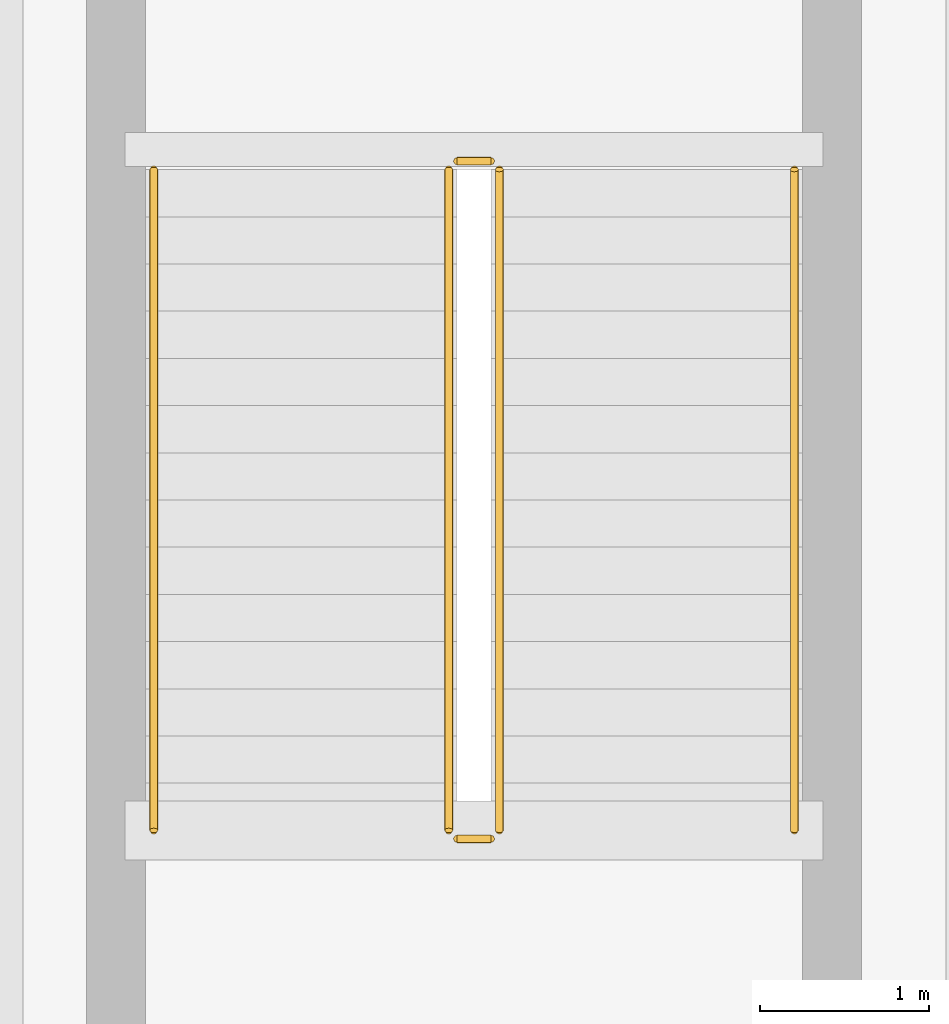
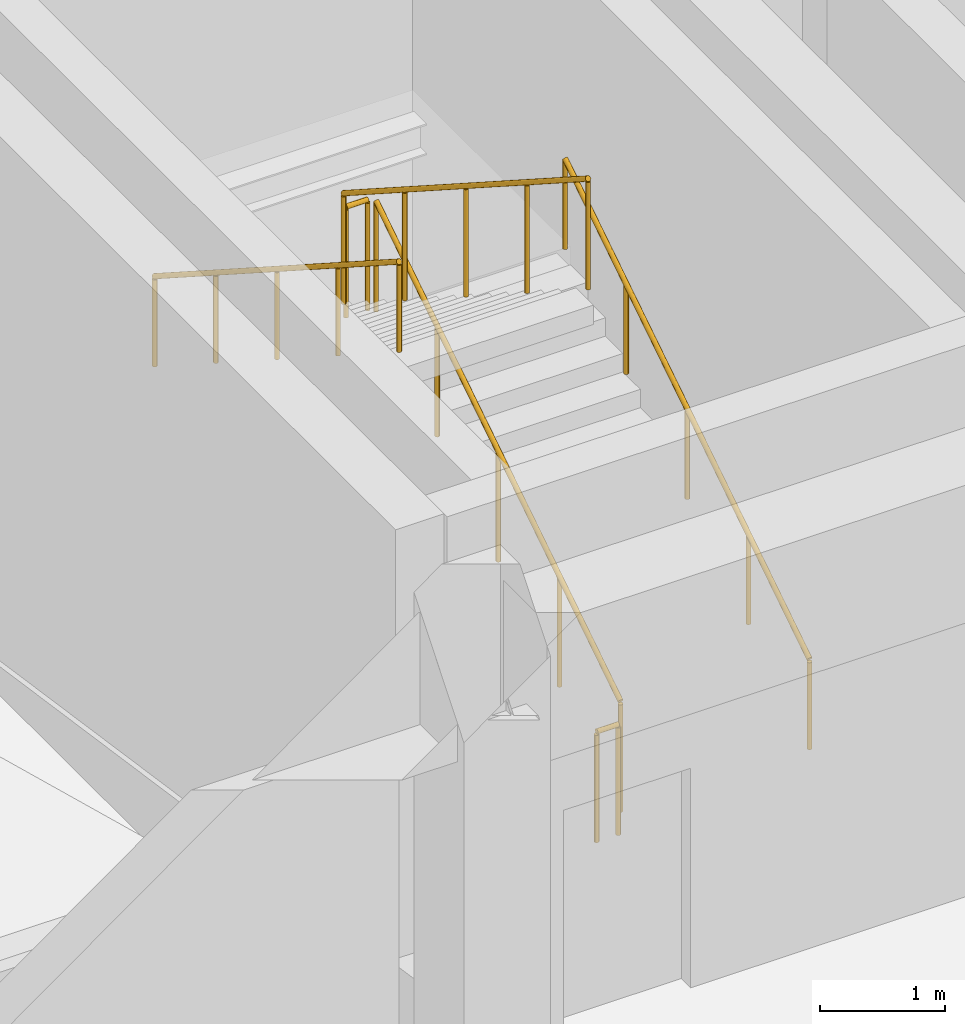
# One storey, part 86 of 91: 6 railings.
"""IFC4 building model written with IfcOpenShell, lengths in metres."""

import ifcopenshell
import ifcopenshell.guid

model = None  # the IFC model being written
_history = None  # IfcOwnerHistory: only IFC2X3 demands one
_inside = {}  # id of a spatial element -> (the spatial element, [elements in it])
_under = {}  # id of a project, library or spatial element -> (it, [spatial elements below it])
_declared = {}  # id of a project -> (the project, [libraries it declares])
_typed = {}  # id of a type object -> (the type object, [elements of that type])
_made_of = {}  # id of a material, layer set ... -> (it, [elements and type objects made of it])


def new_model(schema):
    """Start an empty IFC model of exactly this schema.

    Asked for "IFC4X3", IfcOpenShell would pick the latest addendum, in which some entities
    have other attributes; the version numbers below select the first issue.
    IFC2X3 requires an IfcOwnerHistory on every rooted entity: one is made here for all.
    """
    global model, _history
    if schema == "IFC4X3":
        model = ifcopenshell.file(schema_version=(4, 3, 0, 0))
    else:
        model = ifcopenshell.file(schema=schema)
    _inside.clear()
    _under.clear()
    _declared.clear()
    _typed.clear()
    _made_of.clear()
    _history = None
    if model.schema == "IFC2X3":
        org = make("IfcOrganization", Name="unknown")
        user = make(
            "IfcPersonAndOrganization",
            ThePerson=make("IfcPerson", FamilyName="unknown"),
            TheOrganization=org,
        )
        app = make(
            "IfcApplication",
            ApplicationDeveloper=org,
            Version="unknown",
            ApplicationFullName="unknown",
            ApplicationIdentifier="unknown",
        )
        _history = make(
            "IfcOwnerHistory",
            OwningUser=user,
            OwningApplication=app,
            ChangeAction="ADDED",
            CreationDate=0,
        )
    return model


def make(cls, **values):
    """One entity of the class cls with the attributes given. An attribute that is None is left unset."""
    return model.create_entity(
        cls, **{name: value for name, value in values.items() if value is not None}
    )


def rooted(cls, **values):
    """An entity with a GlobalId (a new one), such as an element, a storey or a relation."""
    return make(cls, GlobalId=ifcopenshell.guid.new(), OwnerHistory=_history, **values)


def si_unit(unit_type, name, prefix=None):
    """IfcSIUnit, for example si_unit("LENGTHUNIT", "METRE", prefix="MILLI")."""
    return make("IfcSIUnit", UnitType=unit_type, Prefix=prefix, Name=name)


def assignment(units):
    """IfcUnitAssignment: the units of a project."""
    return None if units is None else make("IfcUnitAssignment", Units=units)


def point(xyz):
    """IfcCartesianPoint."""
    return None if xyz is None else make("IfcCartesianPoint", Coordinates=xyz)


def direction(xyz):
    """IfcDirection."""
    return None if xyz is None else make("IfcDirection", DirectionRatios=xyz)


def frame(location, z_axis=None, x_axis=None):
    """IfcAxis2Placement3D, a coordinate frame: its origin and axes. An axis left out is left unset."""
    return make(
        "IfcAxis2Placement3D",
        Location=point(location),
        Axis=direction(z_axis),
        RefDirection=direction(x_axis),
    )


def frame_2d(location, x_axis=None):
    """IfcAxis2Placement2D, a coordinate frame in the plane: its origin and x axis."""
    return make(
        "IfcAxis2Placement2D", Location=point(location), RefDirection=direction(x_axis)
    )


def origin():
    """The frame at (0, 0, 0) with its axes left unset."""
    return frame((0.0, 0.0, 0.0))


def origin_2d():
    """The frame at (0, 0) in the plane with its x axis left unset."""
    return frame_2d((0.0, 0.0))


def place(relative_to, where):
    """IfcLocalPlacement: puts the frame where relative to a parent placement (None: the world)."""
    return make(
        "IfcLocalPlacement", PlacementRelTo=relative_to, RelativePlacement=where
    )


def context(
    kind, dimensions, precision=None, world=None, true_north=None, identifier=None
):
    """IfcGeometricRepresentationContext, for example the 3D "Model" context."""
    return make(
        "IfcGeometricRepresentationContext",
        ContextIdentifier=identifier,
        ContextType=kind,
        CoordinateSpaceDimension=dimensions,
        Precision=precision,
        WorldCoordinateSystem=world,
        TrueNorth=true_north,
    )


def subcontext(parent, identifier, kind, view, scale=None):
    """IfcGeometricRepresentationSubContext, for example "Body" below "Model"."""
    return make(
        "IfcGeometricRepresentationSubContext",
        ContextIdentifier=identifier,
        ContextType=kind,
        ParentContext=parent,
        TargetScale=scale,
        TargetView=view,
    )


def project(units=None, contexts=None):
    """IfcProject with its units and contexts."""
    return rooted(
        "IfcProject",
        Name="project",
        RepresentationContexts=contexts,
        UnitsInContext=assignment(units),
    )


def spatial(cls, under=None, at=None, **own):
    """A site, building, storey or space (cls), placed at a placement, below another one or the project."""
    s = rooted(cls, ObjectPlacement=at, **own)
    if under is not None:
        _under.setdefault(under.id(), (under, []))[1].append(s)
    return s


def profile(cls, at=None, kind="AREA", **sizes):
    """A parametric profile (cls). Its sizes go by their IFC names, for example OverallWidth=200.0."""
    return make(cls, ProfileType=kind, Position=at, **sizes)


def circle(**sizes):
    """IfcCircleProfileDef."""
    return profile("IfcCircleProfileDef", **sizes)


def extrude(swept, where, along, depth):
    """IfcExtrudedAreaSolid: the profile swept, set in the frame where, extruded along a direction by depth."""
    return make(
        "IfcExtrudedAreaSolid",
        SweptArea=swept,
        Position=where,
        ExtrudedDirection=direction(along),
        Depth=depth,
    )


def shape(context_of_items, identifier, shape_type, items):
    """IfcShapeRepresentation: the items that make up one representation, for example the "Body"."""
    return make(
        "IfcShapeRepresentation",
        ContextOfItems=context_of_items,
        RepresentationIdentifier=identifier,
        RepresentationType=shape_type,
        Items=items,
    )


def material(Name=None, Category=None):
    """IfcMaterial."""
    return make("IfcMaterial", Name=Name, Category=Category)


def made_of(thing, what):
    """Note that an element or type object is made of a material, layer set ...; save() writes the relation."""
    if what is not None:
        _made_of.setdefault(what.id(), (what, []))[1].append(thing)
    return thing


def type_object(cls, material=None, **own):
    """A type object (cls), such as IfcWallType, which elements share."""
    return made_of(rooted(cls, **own), material)


def element(
    cls,
    number,
    at=None,
    inside=None,
    cuts=None,
    type_object=None,
    material=None,
    context=None,
    identifier="Body",
    shape_type=None,
    held_by="IfcProductDefinitionShape",
    body=None,
    shapes=None,
    **own,
):
    """One element of the class cls, such as IfcWall. Its Tag is "e" and its number.

    at: its placement. inside: the storey or other place that contains it. cuts: it is an
    opening in that element (IfcRelVoidsElement). A single representation is given by context,
    identifier, shape_type and body (its items); several are given by shapes. held_by: the class
    of the entity that holds the representations. save() writes the other relations.
    """
    e = rooted(cls, Tag="e%d" % number, ObjectPlacement=at, **own)
    if body is not None:
        shapes = [shape(context, identifier, shape_type, body)]
    if shapes is not None:
        e.Representation = make(held_by, Representations=shapes)
    if inside is not None:
        _inside.setdefault(inside.id(), (inside, []))[1].append(e)
    if cuts is not None:
        rooted(
            "IfcRelVoidsElement", RelatingBuildingElement=cuts, RelatedOpeningElement=e
        )
    if type_object is not None:
        _typed.setdefault(type_object.id(), (type_object, []))[1].append(e)
    return made_of(e, material)


def aggregate(whole, parts):
    """IfcRelAggregates: a whole, such as a stair, and the parts it consists of."""
    return rooted("IfcRelAggregates", RelatingObject=whole, RelatedObjects=parts)


def save(model, path):
    """Write the relations noted so far, then the file.

    IfcRelAggregates (storeys below a building ...), IfcRelContainedInSpatialStructure (elements
    in a storey), IfcRelDefinesByType, IfcRelAssociatesMaterial and IfcRelDeclares: one each for
    every whole, place, type object, material and project.
    """
    for whole, parts in _under.values():
        aggregate(whole, parts)
    for where, things in _inside.values():
        rooted(
            "IfcRelContainedInSpatialStructure",
            RelatedElements=things,
            RelatingStructure=where,
        )
    for kind, things in _typed.values():
        rooted("IfcRelDefinesByType", RelatedObjects=things, RelatingType=kind)
    for what, things in _made_of.values():
        rooted("IfcRelAssociatesMaterial", RelatedObjects=things, RelatingMaterial=what)
    for by, libraries in _declared.values():
        rooted("IfcRelDeclares", RelatingContext=by, RelatedDefinitions=libraries)
    model.write(path)


model = new_model("IFC4")

# Units and contexts
model_context = context("Model", 3, precision=1e-05, world=origin(), true_north=direction((0.0, 1.0)))
body_context = subcontext(model_context, "Body", "Model", "MODEL_VIEW")
ifc_project = project(units=[si_unit("LENGTHUNIT", "METRE"), si_unit("AREAUNIT", "SQUARE_METRE"), si_unit("VOLUMEUNIT", "CUBIC_METRE"), si_unit("PLANEANGLEUNIT", "RADIAN"), si_unit("MASSUNIT", "GRAM", prefix="KILO")], contexts=[model_context])

# Site, building, storey
site_placement = place(None, origin())
site = spatial("IfcSite", under=ifc_project, at=site_placement, CompositionType="ELEMENT")
building_placement = place(site_placement, origin())
building = spatial("IfcBuilding", under=site, at=building_placement, Name="Vaelkrest Opera House", CompositionType="ELEMENT")
storey_placement = place(building_placement, origin())
storey = spatial("IfcBuildingStorey", under=building, at=storey_placement, Name="L00", CompositionType="ELEMENT", Elevation=0.0)

# Railings
ifc_material = material(Name="Dark bronze anodized aluminium", Category="aluminium")
railing_type_1 = type_object("IfcRailingType", Name="GR02", PredefinedType="GUARDRAIL", material=ifc_material)
railing_1_placement = place(storey_placement, frame((21.10009765625, -25.64990234375, 0.179931640625)))
element("IfcRailing", 1, at=railing_1_placement, inside=storey, type_object=railing_type_1, Name="L00 ST02 stair guard 1", PredefinedType="GUARDRAIL", context=body_context, shape_type="SweptSolid", body=[
    extrude(circle(Radius=0.02392578125, at=origin_2d()), frame((0.0, 0.0, 1.076171875), z_axis=(0.0, 0.841171666519, 0.540768182723), x_axis=(-1.0, 0.0, 0.0)), (0.0, 0.0, 1.0), 4.66015625),
    extrude(circle(Radius=0.02099609375, at=origin_2d()), origin(), (0.0, 0.0, 1.0), 1.052001953125),
    extrude(circle(Radius=0.02099609375, at=origin_2d()), frame((0.0, 0.97998046875, 0.6298828125)), (0.0, 0.0, 1.0), 1.052001953125),
    extrude(circle(Radius=0.02099609375, at=origin_2d()), frame((0.0, 1.9599609375, 1.260009765625)), (0.0, 0.0, 1.0), 1.052001953125),
    extrude(circle(Radius=0.02099609375, at=origin_2d()), frame((0.0, 2.93994140625, 1.89013671875)), (0.0, 0.0, 1.0), 1.052001953125),
    extrude(circle(Radius=0.02099609375, at=origin_2d()), frame((0.0, 3.919921875, 2.52001953125)), (0.0, 0.0, 1.0), 1.052001953125),
])
railing_2_placement = place(storey_placement, frame((21.050048828125, -21.679931640625, 2.699951171875)))
element("IfcRailing", 2, at=railing_2_placement, inside=storey, type_object=railing_type_1, Name="L00 ST02 stair guard 2", PredefinedType="GUARDRAIL", context=body_context, shape_type="SweptSolid", body=[
    extrude(circle(Radius=0.02392578125, at=origin_2d()), frame((0.0, 0.0, 1.076171875), z_axis=(-1.0, 0.0, 0.0), x_axis=(0.0, -1.0, 0.0)), (0.0, 0.0, 1.0), 0.199951171875),
    extrude(circle(Radius=0.02099609375, at=origin_2d()), origin(), (0.0, 0.0, 1.0), 1.052001953125),
    extrude(circle(Radius=0.02099609375, at=origin_2d()), frame((-0.199951171875, 0.0, 0.0)), (0.0, 0.0, 1.0), 1.052001953125),
])
railing_3_placement = place(storey_placement, frame((20.800048828125, -21.72998046875, 2.8798828125)))
element("IfcRailing", 3, at=railing_3_placement, inside=storey, type_object=railing_type_1, Name="L00 ST02 stair guard 3", PredefinedType="GUARDRAIL", context=body_context, shape_type="SweptSolid", body=[
    extrude(circle(Radius=0.02392578125, at=origin_2d()), frame((0.0, 0.0, 1.076171875), z_axis=(0.0, -0.841171666519, 0.540768182723), x_axis=(1.0, 0.0, 0.0)), (0.0, 0.0, 1.0), 4.66015625),
    extrude(circle(Radius=0.02099609375, at=origin_2d()), origin(), (0.0, 0.0, 1.0), 1.052001953125),
    extrude(circle(Radius=0.02099609375, at=origin_2d()), frame((0.0, -0.97998046875, 0.6298828125)), (0.0, 0.0, 1.0), 1.052001953125),
    extrude(circle(Radius=0.02099609375, at=origin_2d()), frame((0.0, -1.9599609375, 1.260009765625)), (0.0, 0.0, 1.0), 1.052001953125),
    extrude(circle(Radius=0.02099609375, at=origin_2d()), frame((0.0, -2.93994140625, 1.89013671875)), (0.0, 0.0, 1.0), 1.052001953125),
    extrude(circle(Radius=0.02099609375, at=origin_2d()), frame((0.0, -3.919921875, 2.52001953125)), (0.0, 0.0, 1.0), 1.052001953125),
])
railing_4_placement = place(storey_placement, frame((21.050048828125, -25.699951171875, 0.0)))
element("IfcRailing", 4, at=railing_4_placement, inside=storey, type_object=railing_type_1, Name="L00 ST02 stair guard 4", PredefinedType="GUARDRAIL", context=body_context, shape_type="SweptSolid", body=[
    extrude(circle(Radius=0.02392578125, at=origin_2d()), frame((0.0, 0.0, 1.076171875), z_axis=(-1.0, 0.0, 0.0), x_axis=(0.0, -1.0, 0.0)), (0.0, 0.0, 1.0), 0.199951171875),
    extrude(circle(Radius=0.02099609375, at=origin_2d()), origin(), (0.0, 0.0, 1.0), 1.052001953125),
    extrude(circle(Radius=0.02099609375, at=origin_2d()), frame((-0.199951171875, 0.0, 0.0)), (0.0, 0.0, 1.0), 1.052001953125),
])
railing_type_2 = type_object("IfcRailingType", Name="HR02", PredefinedType="HANDRAIL", material=ifc_material)
railing_5_placement = place(storey_placement, frame((22.85009765625, -25.64990234375, 0.179931640625)))
element("IfcRailing", 5, at=railing_5_placement, inside=storey, type_object=railing_type_2, Name="L00 ST02 stair handrail 1", PredefinedType="HANDRAIL", context=body_context, shape_type="SweptSolid", body=[
    extrude(circle(Radius=0.02392578125, at=origin_2d()), frame((0.0, 0.0, 0.8759765625), z_axis=(0.0, 0.841171666519, 0.540768182723), x_axis=(-1.0, 0.0, 0.0)), (0.0, 0.0, 1.0), 4.66015625),
    extrude(circle(Radius=0.02099609375, at=origin_2d()), origin(), (0.0, 0.0, 1.0), 0.851806640625),
    extrude(circle(Radius=0.02099609375, at=origin_2d()), frame((0.0, 0.97998046875, 0.6298828125)), (0.0, 0.0, 1.0), 0.851806640625),
    extrude(circle(Radius=0.02099609375, at=origin_2d()), frame((0.0, 1.9599609375, 1.260009765625)), (0.0, 0.0, 1.0), 0.851806640625),
    extrude(circle(Radius=0.02099609375, at=origin_2d()), frame((0.0, 2.93994140625, 1.89013671875)), (0.0, 0.0, 1.0), 0.851806640625),
    extrude(circle(Radius=0.02099609375, at=origin_2d()), frame((0.0, 3.919921875, 2.52001953125)), (0.0, 0.0, 1.0), 0.851806640625),
])
railing_6_placement = place(storey_placement, frame((19.050048828125, -21.72998046875, 2.8798828125)))
element("IfcRailing", 6, at=railing_6_placement, inside=storey, type_object=railing_type_2, Name="L00 ST02 stair handrail 2", PredefinedType="HANDRAIL", context=body_context, shape_type="SweptSolid", body=[
    extrude(circle(Radius=0.02392578125, at=origin_2d()), frame((0.0, 0.0, 0.8759765625), z_axis=(0.0, -0.841171666519, 0.540768182723), x_axis=(1.0, 0.0, 0.0)), (0.0, 0.0, 1.0), 4.66015625),
    extrude(circle(Radius=0.02099609375, at=origin_2d()), origin(), (0.0, 0.0, 1.0), 0.851806640625),
    extrude(circle(Radius=0.02099609375, at=origin_2d()), frame((0.0, -0.97998046875, 0.6298828125)), (0.0, 0.0, 1.0), 0.851806640625),
    extrude(circle(Radius=0.02099609375, at=origin_2d()), frame((0.0, -1.9599609375, 1.260009765625)), (0.0, 0.0, 1.0), 0.851806640625),
    extrude(circle(Radius=0.02099609375, at=origin_2d()), frame((0.0, -2.93994140625, 1.89013671875)), (0.0, 0.0, 1.0), 0.851806640625),
    extrude(circle(Radius=0.02099609375, at=origin_2d()), frame((0.0, -3.919921875, 2.52001953125)), (0.0, 0.0, 1.0), 0.851806640625),
])

save(model, "model.ifc")
